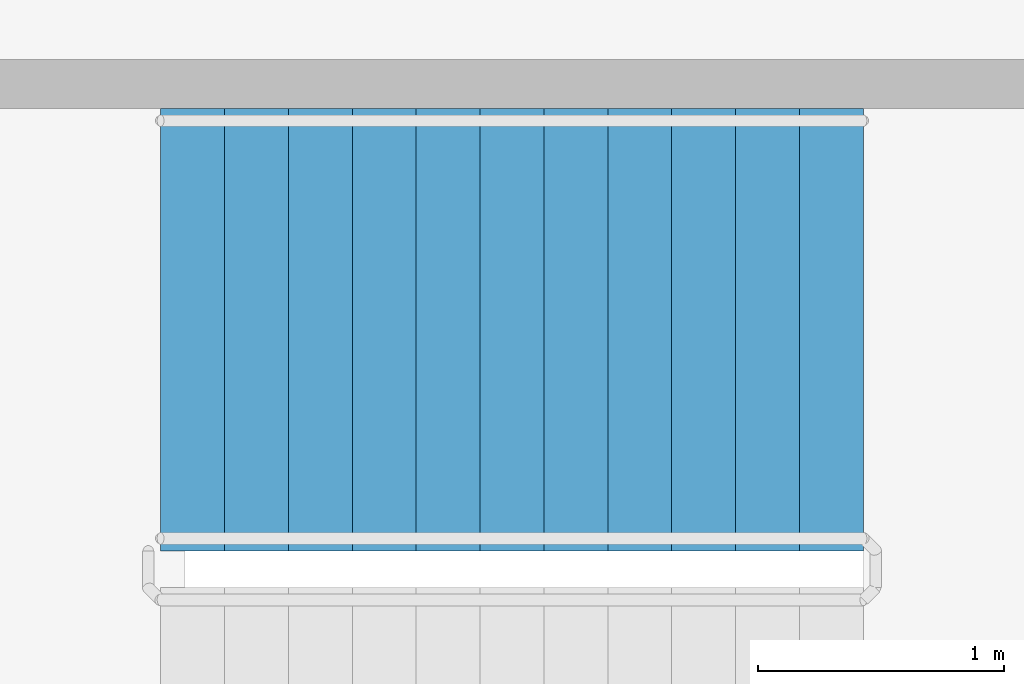
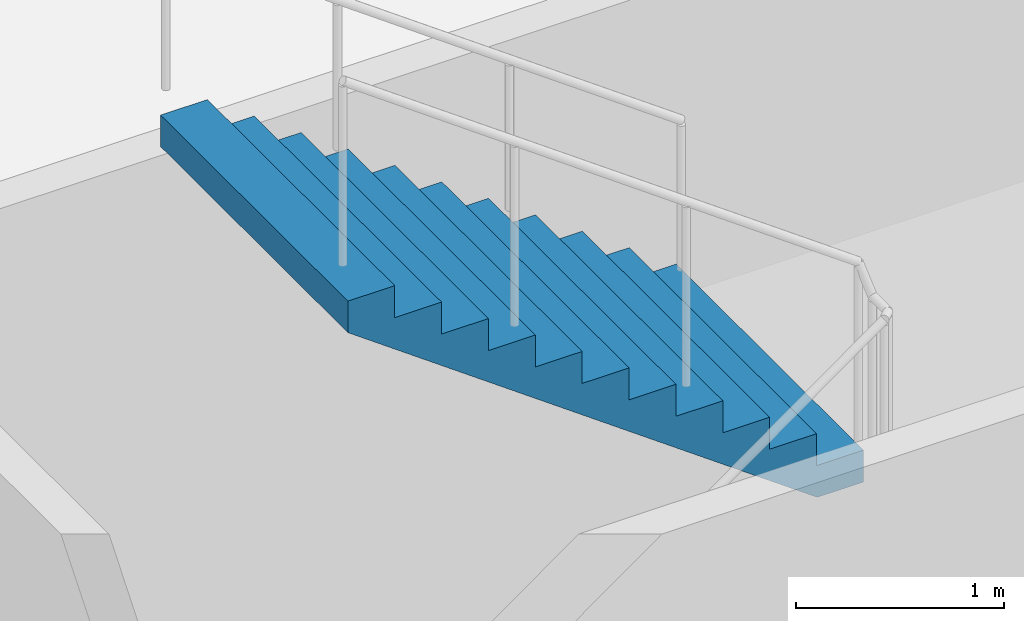
# One storey, part 35 of 49: 1 stair flight, 1 element without a shape of its own.
"""IFC4 building model written with IfcOpenShell, lengths in metres."""

from ifc_helpers import new_model, si_unit, direction, frame, origin, place, context, subcontext, project, spatial, faceted_brep, material, type_object, element, aggregate, save


model = new_model("IFC4")

# Units and contexts
model_context = context("Model", 3, precision=1e-05, world=origin(), true_north=direction((0.0, 1.0)))
body_context = subcontext(model_context, "Body", "Model", "MODEL_VIEW")
ifc_project = project(units=[si_unit("LENGTHUNIT", "METRE"), si_unit("AREAUNIT", "SQUARE_METRE"), si_unit("VOLUMEUNIT", "CUBIC_METRE"), si_unit("PLANEANGLEUNIT", "RADIAN"), si_unit("MASSUNIT", "GRAM", prefix="KILO")], contexts=[model_context])

# Site, building, storey
site_placement = place(None, origin())
site = spatial("IfcSite", under=ifc_project, at=site_placement, CompositionType="ELEMENT")
building_placement = place(site_placement, origin())
building = spatial("IfcBuilding", under=site, at=building_placement, Name="Ipe Terrace Towers", CompositionType="ELEMENT")
storey_placement = place(building_placement, frame((0.0, 0.0, 20.0)))
storey = spatial("IfcBuildingStorey", under=building, at=storey_placement, Name="L04", CompositionType="ELEMENT", Elevation=20.0)

# Stair, stair flight
ifc_material_1 = material(Name="Concrete C30/37", Category="concrete")
stair_type = type_object("IfcStairType", Name="Protected exit stair", PredefinedType="HALF_TURN_STAIR", material=ifc_material_1)
stair_placement = place(storey_placement, origin())
stair = element("IfcStair", 1, at=stair_placement, inside=storey, type_object=stair_type, Name="L04 Podium exit stair PS5", PredefinedType="HALF_TURN_STAIR")
ifc_material_2 = material(Name="Concrete C30/37", Category="concrete")
stair_flight_type = type_object("IfcStairFlightType", Name="Exit stair flight 1800", PredefinedType="STRAIGHT", material=ifc_material_2)
stair_flight_placement = place(storey_placement, frame((-0.889892578125, -20.550048828125, 2.25), z_axis=(0.0, 0.0, 1.0), x_axis=(-1.0, 0.0, 0.0)))
stair_flight = element("IfcStairFlight", 2, at=stair_flight_placement, type_object=stair_flight_type, Name="PS5 flight 2", NumberOfRisers=12, NumberOfTreads=11, PredefinedType="STRAIGHT", RiserHeight=0.1875, TreadLength=0.26, context=body_context, shape_type="Brep", body=[
    faceted_brep([(0.25634765625, -0.89990234375, 0.0), (2.860107421875, -0.89990234375, 1.877685546875), (2.860107421875, -0.89990234375, 2.0625), (2.60009765625, -0.89990234375, 2.0625), (2.60009765625, -0.89990234375, 1.875), (2.340087890625, -0.89990234375, 1.875), (2.340087890625, -0.89990234375, 1.6875), (2.080078125, -0.89990234375, 1.6875), (2.080078125, -0.89990234375, 1.5), (1.820068359375, -0.89990234375, 1.5), (1.820068359375, -0.89990234375, 1.3125), (1.56005859375, -0.89990234375, 1.3125), (1.56005859375, -0.89990234375, 1.125), (1.300048828125, -0.89990234375, 1.125), (1.300048828125, -0.89990234375, 0.9375), (1.0400390625, -0.89990234375, 0.9375), (1.0400390625, -0.89990234375, 0.75), (0.780029296875, -0.89990234375, 0.75), (0.780029296875, -0.89990234375, 0.5625), (0.52001953125, -0.89990234375, 0.5625), (0.52001953125, -0.89990234375, 0.375), (0.260009765625, -0.89990234375, 0.375), (0.260009765625, -0.89990234375, 0.1875), (0.0, -0.89990234375, 0.1875), (0.0, -0.89990234375, 0.0), (0.0, 0.89990234375, 0.0), (0.0, 0.89990234375, 0.1875), (0.260009765625, 0.89990234375, 0.1875), (0.260009765625, 0.89990234375, 0.375), (0.52001953125, 0.89990234375, 0.375), (0.52001953125, 0.89990234375, 0.5625), (0.780029296875, 0.89990234375, 0.5625), (0.780029296875, 0.89990234375, 0.75), (1.0400390625, 0.89990234375, 0.75), (1.0400390625, 0.89990234375, 0.9375), (1.300048828125, 0.89990234375, 0.9375), (1.300048828125, 0.89990234375, 1.125), (1.56005859375, 0.89990234375, 1.125), (1.56005859375, 0.89990234375, 1.3125), (1.820068359375, 0.89990234375, 1.3125), (1.820068359375, 0.89990234375, 1.5), (2.080078125, 0.89990234375, 1.5), (2.080078125, 0.89990234375, 1.6875), (2.340087890625, 0.89990234375, 1.6875), (2.340087890625, 0.89990234375, 1.875), (2.60009765625, 0.89990234375, 1.875), (2.60009765625, 0.89990234375, 2.0625), (2.860107421875, 0.89990234375, 2.0625), (2.860107421875, 0.89990234375, 1.877685546875), (0.25634765625, 0.89990234375, 0.0), (0.0, -0.300048828125, 0.1875), (0.0, -0.1201171875, 0.1875), (0.0, -0.06005859375, 0.1875), (0.0, -0.030029296875, 0.1875), (0.0, -0.010009765625, 0.1875), (0.0, 0.0, 0.1875), (0.0, 0.010009765625, 0.1875), (0.0, 0.030029296875, 0.1875), (0.0, 0.06005859375, 0.1875), (0.0, 0.1201171875, 0.1875), (0.0, 0.300048828125, 0.1875), (0.0, 0.300048828125, 0.0), (0.0, 0.1201171875, 0.0), (0.0, 0.06005859375, 0.0), (0.0, 0.030029296875, 0.0), (0.0, 0.010009765625, 0.0), (0.0, 0.0, 0.0), (0.0, -0.010009765625, 0.0), (0.0, -0.030029296875, 0.0), (0.0, -0.06005859375, 0.0), (0.0, -0.1201171875, 0.0), (0.0, -0.300048828125, 0.0), (0.260009765625, -0.300048828125, 0.1875), (0.260009765625, -0.1201171875, 0.1875), (0.260009765625, -0.06005859375, 0.1875), (0.260009765625, -0.030029296875, 0.1875), (0.260009765625, -0.010009765625, 0.1875), (0.260009765625, 0.0, 0.1875), (0.260009765625, 0.010009765625, 0.1875), (0.260009765625, 0.030029296875, 0.1875), (0.260009765625, 0.06005859375, 0.1875), (0.260009765625, 0.1201171875, 0.1875), (0.260009765625, 0.300048828125, 0.1875), (0.260009765625, -0.300048828125, 0.375), (0.260009765625, -0.1201171875, 0.375), (0.260009765625, -0.06005859375, 0.375), (0.260009765625, -0.030029296875, 0.375), (0.260009765625, -0.010009765625, 0.375), (0.260009765625, 0.0, 0.375), (0.260009765625, 0.010009765625, 0.375), (0.260009765625, 0.030029296875, 0.375), (0.260009765625, 0.06005859375, 0.375), (0.260009765625, 0.1201171875, 0.375), (0.260009765625, 0.300048828125, 0.375), (0.52001953125, -0.300048828125, 0.375), (0.52001953125, -0.1201171875, 0.375), (0.52001953125, -0.06005859375, 0.375), (0.52001953125, -0.030029296875, 0.375), (0.52001953125, -0.010009765625, 0.375), (0.52001953125, 0.0, 0.375), (0.52001953125, 0.010009765625, 0.375), (0.52001953125, 0.030029296875, 0.375), (0.52001953125, 0.06005859375, 0.375), (0.52001953125, 0.1201171875, 0.375), (0.52001953125, 0.300048828125, 0.375), (0.52001953125, -0.300048828125, 0.5625), (0.52001953125, -0.1201171875, 0.5625), (0.52001953125, -0.06005859375, 0.5625), (0.52001953125, -0.030029296875, 0.5625), (0.52001953125, -0.010009765625, 0.5625), (0.52001953125, 0.0, 0.5625), (0.52001953125, 0.010009765625, 0.5625), (0.52001953125, 0.030029296875, 0.5625), (0.52001953125, 0.06005859375, 0.5625), (0.52001953125, 0.1201171875, 0.5625), (0.52001953125, 0.300048828125, 0.5625), (0.780029296875, -0.300048828125, 0.5625), (0.780029296875, -0.1201171875, 0.5625), (0.780029296875, -0.06005859375, 0.5625), (0.780029296875, -0.030029296875, 0.5625), (0.780029296875, -0.010009765625, 0.5625), (0.780029296875, 0.0, 0.5625), (0.780029296875, 0.010009765625, 0.5625), (0.780029296875, 0.030029296875, 0.5625), (0.780029296875, 0.06005859375, 0.5625), (0.780029296875, 0.1201171875, 0.5625), (0.780029296875, 0.300048828125, 0.5625), (0.780029296875, -0.300048828125, 0.75), (0.780029296875, -0.1201171875, 0.75), (0.780029296875, -0.06005859375, 0.75), (0.780029296875, -0.030029296875, 0.75), (0.780029296875, -0.010009765625, 0.75), (0.780029296875, 0.0, 0.75), (0.780029296875, 0.010009765625, 0.75), (0.780029296875, 0.030029296875, 0.75), (0.780029296875, 0.06005859375, 0.75), (0.780029296875, 0.1201171875, 0.75), (0.780029296875, 0.300048828125, 0.75), (1.0400390625, -0.300048828125, 0.75), (1.0400390625, -0.1201171875, 0.75), (1.0400390625, -0.06005859375, 0.75), (1.0400390625, -0.030029296875, 0.75), (1.0400390625, -0.010009765625, 0.75), (1.0400390625, 0.0, 0.75), (1.0400390625, 0.010009765625, 0.75), (1.0400390625, 0.030029296875, 0.75), (1.0400390625, 0.06005859375, 0.75), (1.0400390625, 0.1201171875, 0.75), (1.0400390625, 0.300048828125, 0.75), (1.0400390625, -0.300048828125, 0.9375), (1.0400390625, -0.1201171875, 0.9375), (1.0400390625, -0.06005859375, 0.9375), (1.0400390625, -0.030029296875, 0.9375), (1.0400390625, -0.010009765625, 0.9375), (1.0400390625, 0.0, 0.9375), (1.0400390625, 0.010009765625, 0.9375), (1.0400390625, 0.030029296875, 0.9375), (1.0400390625, 0.06005859375, 0.9375), (1.0400390625, 0.1201171875, 0.9375), (1.0400390625, 0.300048828125, 0.9375), (1.300048828125, -0.300048828125, 0.9375), (1.300048828125, -0.1201171875, 0.9375), (1.300048828125, -0.06005859375, 0.9375), (1.300048828125, -0.030029296875, 0.9375), (1.300048828125, -0.010009765625, 0.9375), (1.300048828125, 0.0, 0.9375), (1.300048828125, 0.010009765625, 0.9375), (1.300048828125, 0.030029296875, 0.9375), (1.300048828125, 0.06005859375, 0.9375), (1.300048828125, 0.1201171875, 0.9375), (1.300048828125, 0.300048828125, 0.9375), (1.300048828125, -0.300048828125, 1.125), (1.300048828125, -0.1201171875, 1.125), (1.300048828125, -0.06005859375, 1.125), (1.300048828125, -0.030029296875, 1.125), (1.300048828125, -0.010009765625, 1.125), (1.300048828125, 0.0, 1.125), (1.300048828125, 0.010009765625, 1.125), (1.300048828125, 0.030029296875, 1.125), (1.300048828125, 0.06005859375, 1.125), (1.300048828125, 0.1201171875, 1.125), (1.300048828125, 0.300048828125, 1.125), (1.56005859375, -0.300048828125, 1.125), (1.56005859375, -0.1201171875, 1.125), (1.56005859375, -0.06005859375, 1.125), (1.56005859375, -0.030029296875, 1.125), (1.56005859375, -0.010009765625, 1.125), (1.56005859375, 0.0, 1.125), (1.56005859375, 0.010009765625, 1.125), (1.56005859375, 0.030029296875, 1.125), (1.56005859375, 0.06005859375, 1.125), (1.56005859375, 0.1201171875, 1.125), (1.56005859375, 0.300048828125, 1.125), (1.56005859375, -0.300048828125, 1.3125), (1.56005859375, -0.1201171875, 1.3125), (1.56005859375, -0.06005859375, 1.3125), (1.56005859375, -0.030029296875, 1.3125), (1.56005859375, -0.010009765625, 1.3125), (1.56005859375, 0.0, 1.3125), (1.56005859375, 0.010009765625, 1.3125), (1.56005859375, 0.030029296875, 1.3125), (1.56005859375, 0.06005859375, 1.3125), (1.56005859375, 0.1201171875, 1.3125), (1.56005859375, 0.300048828125, 1.3125), (1.820068359375, -0.300048828125, 1.3125), (1.820068359375, -0.1201171875, 1.3125), (1.820068359375, -0.06005859375, 1.3125), (1.820068359375, -0.030029296875, 1.3125), (1.820068359375, -0.010009765625, 1.3125), (1.820068359375, 0.0, 1.3125), (1.820068359375, 0.010009765625, 1.3125), (1.820068359375, 0.030029296875, 1.3125), (1.820068359375, 0.06005859375, 1.3125), (1.820068359375, 0.1201171875, 1.3125), (1.820068359375, 0.300048828125, 1.3125), (1.820068359375, -0.300048828125, 1.5), (1.820068359375, -0.1201171875, 1.5), (1.820068359375, -0.06005859375, 1.5), (1.820068359375, -0.030029296875, 1.5), (1.820068359375, -0.010009765625, 1.5), (1.820068359375, 0.0, 1.5), (1.820068359375, 0.010009765625, 1.5), (1.820068359375, 0.030029296875, 1.5), (1.820068359375, 0.06005859375, 1.5), (1.820068359375, 0.1201171875, 1.5), (1.820068359375, 0.300048828125, 1.5), (2.080078125, -0.300048828125, 1.5), (2.080078125, -0.1201171875, 1.5), (2.080078125, -0.06005859375, 1.5), (2.080078125, -0.030029296875, 1.5), (2.080078125, -0.010009765625, 1.5), (2.080078125, 0.0, 1.5), (2.080078125, 0.010009765625, 1.5), (2.080078125, 0.030029296875, 1.5), (2.080078125, 0.06005859375, 1.5), (2.080078125, 0.1201171875, 1.5), (2.080078125, 0.300048828125, 1.5), (2.080078125, -0.300048828125, 1.6875), (2.080078125, -0.1201171875, 1.6875), (2.080078125, -0.06005859375, 1.6875), (2.080078125, -0.030029296875, 1.6875), (2.080078125, -0.010009765625, 1.6875), (2.080078125, 0.0, 1.6875), (2.080078125, 0.010009765625, 1.6875), (2.080078125, 0.030029296875, 1.6875), (2.080078125, 0.06005859375, 1.6875), (2.080078125, 0.1201171875, 1.6875), (2.080078125, 0.300048828125, 1.6875), (2.340087890625, -0.300048828125, 1.6875), (2.340087890625, -0.1201171875, 1.6875), (2.340087890625, -0.06005859375, 1.6875), (2.340087890625, -0.030029296875, 1.6875), (2.340087890625, -0.010009765625, 1.6875), (2.340087890625, 0.0, 1.6875), (2.340087890625, 0.010009765625, 1.6875), (2.340087890625, 0.030029296875, 1.6875), (2.340087890625, 0.06005859375, 1.6875), (2.340087890625, 0.1201171875, 1.6875), (2.340087890625, 0.300048828125, 1.6875), (2.340087890625, -0.300048828125, 1.875), (2.340087890625, -0.1201171875, 1.875), (2.340087890625, -0.06005859375, 1.875), (2.340087890625, -0.030029296875, 1.875), (2.340087890625, -0.010009765625, 1.875), (2.340087890625, 0.0, 1.875), (2.340087890625, 0.010009765625, 1.875), (2.340087890625, 0.030029296875, 1.875), (2.340087890625, 0.06005859375, 1.875), (2.340087890625, 0.1201171875, 1.875), (2.340087890625, 0.300048828125, 1.875), (2.60009765625, -0.300048828125, 1.875), (2.60009765625, -0.1201171875, 1.875), (2.60009765625, -0.06005859375, 1.875), (2.60009765625, -0.030029296875, 1.875), (2.60009765625, -0.010009765625, 1.875), (2.60009765625, 0.0, 1.875), (2.60009765625, 0.010009765625, 1.875), (2.60009765625, 0.030029296875, 1.875), (2.60009765625, 0.06005859375, 1.875), (2.60009765625, 0.1201171875, 1.875), (2.60009765625, 0.300048828125, 1.875), (2.60009765625, -0.300048828125, 2.0625), (2.60009765625, -0.1201171875, 2.0625), (2.60009765625, -0.06005859375, 2.0625), (2.60009765625, -0.030029296875, 2.0625), (2.60009765625, -0.010009765625, 2.0625), (2.60009765625, 0.0, 2.0625), (2.60009765625, 0.010009765625, 2.0625), (2.60009765625, 0.030029296875, 2.0625), (2.60009765625, 0.06005859375, 2.0625), (2.60009765625, 0.1201171875, 2.0625), (2.60009765625, 0.300048828125, 2.0625), (2.860107421875, -0.300048828125, 2.0625), (2.860107421875, -0.1201171875, 2.0625), (2.860107421875, -0.06005859375, 2.0625), (2.860107421875, -0.030029296875, 2.0625), (2.860107421875, -0.010009765625, 2.0625), (2.860107421875, 0.0, 2.0625), (2.860107421875, 0.010009765625, 2.0625), (2.860107421875, 0.030029296875, 2.0625), (2.860107421875, 0.06005859375, 2.0625), (2.860107421875, 0.1201171875, 2.0625), (2.860107421875, 0.300048828125, 2.0625), (2.860107421875, -0.300048828125, 1.877685546875), (2.860107421875, -0.1201171875, 1.877685546875), (2.860107421875, -0.06005859375, 1.877685546875), (2.860107421875, -0.030029296875, 1.877685546875), (2.860107421875, -0.010009765625, 1.877685546875), (2.860107421875, 0.0, 1.877685546875), (2.860107421875, 0.010009765625, 1.877685546875), (2.860107421875, 0.030029296875, 1.877685546875), (2.860107421875, 0.06005859375, 1.877685546875), (2.860107421875, 0.1201171875, 1.877685546875), (2.860107421875, 0.300048828125, 1.877685546875), (0.25634765625, -0.300048828125, 0.0), (0.25634765625, -0.1201171875, 0.0), (0.25634765625, -0.06005859375, 0.0), (0.25634765625, -0.030029296875, 0.0), (0.25634765625, -0.010009765625, 0.0), (0.25634765625, 0.0, 0.0), (0.25634765625, 0.010009765625, 0.0), (0.25634765625, 0.030029296875, 0.0), (0.25634765625, 0.06005859375, 0.0), (0.25634765625, 0.1201171875, 0.0), (0.25634765625, 0.300048828125, 0.0)], [[[0, 1, 2, 3, 4, 5, 6, 7, 8, 9, 10, 11, 12, 13, 14, 15, 16, 17, 18, 19, 20, 21, 22, 23, 24]], [[25, 26, 27, 28, 29, 30, 31, 32, 33, 34, 35, 36, 37, 38, 39, 40, 41, 42, 43, 44, 45, 46, 47, 48, 49]], [[23, 50, 51, 52, 53, 54, 55, 56, 57, 58, 59, 60, 26, 25, 61, 62, 63, 64, 65, 66, 67, 68, 69, 70, 71, 24]], [[22, 72, 73, 74, 75, 76, 77, 78, 79, 80, 81, 82, 27, 26, 60, 59, 58, 57, 56, 55, 54, 53, 52, 51, 50, 23]], [[21, 83, 84, 85, 86, 87, 88, 89, 90, 91, 92, 93, 28, 27, 82, 81, 80, 79, 78, 77, 76, 75, 74, 73, 72, 22]], [[20, 94, 95, 96, 97, 98, 99, 100, 101, 102, 103, 104, 29, 28, 93, 92, 91, 90, 89, 88, 87, 86, 85, 84, 83, 21]], [[19, 105, 106, 107, 108, 109, 110, 111, 112, 113, 114, 115, 30, 29, 104, 103, 102, 101, 100, 99, 98, 97, 96, 95, 94, 20]], [[18, 116, 117, 118, 119, 120, 121, 122, 123, 124, 125, 126, 31, 30, 115, 114, 113, 112, 111, 110, 109, 108, 107, 106, 105, 19]], [[17, 127, 128, 129, 130, 131, 132, 133, 134, 135, 136, 137, 32, 31, 126, 125, 124, 123, 122, 121, 120, 119, 118, 117, 116, 18]], [[16, 138, 139, 140, 141, 142, 143, 144, 145, 146, 147, 148, 33, 32, 137, 136, 135, 134, 133, 132, 131, 130, 129, 128, 127, 17]], [[15, 149, 150, 151, 152, 153, 154, 155, 156, 157, 158, 159, 34, 33, 148, 147, 146, 145, 144, 143, 142, 141, 140, 139, 138, 16]], [[14, 160, 161, 162, 163, 164, 165, 166, 167, 168, 169, 170, 35, 34, 159, 158, 157, 156, 155, 154, 153, 152, 151, 150, 149, 15]], [[13, 171, 172, 173, 174, 175, 176, 177, 178, 179, 180, 181, 36, 35, 170, 169, 168, 167, 166, 165, 164, 163, 162, 161, 160, 14]], [[12, 182, 183, 184, 185, 186, 187, 188, 189, 190, 191, 192, 37, 36, 181, 180, 179, 178, 177, 176, 175, 174, 173, 172, 171, 13]], [[11, 193, 194, 195, 196, 197, 198, 199, 200, 201, 202, 203, 38, 37, 192, 191, 190, 189, 188, 187, 186, 185, 184, 183, 182, 12]], [[10, 204, 205, 206, 207, 208, 209, 210, 211, 212, 213, 214, 39, 38, 203, 202, 201, 200, 199, 198, 197, 196, 195, 194, 193, 11]], [[9, 215, 216, 217, 218, 219, 220, 221, 222, 223, 224, 225, 40, 39, 214, 213, 212, 211, 210, 209, 208, 207, 206, 205, 204, 10]], [[8, 226, 227, 228, 229, 230, 231, 232, 233, 234, 235, 236, 41, 40, 225, 224, 223, 222, 221, 220, 219, 218, 217, 216, 215, 9]], [[7, 237, 238, 239, 240, 241, 242, 243, 244, 245, 246, 247, 42, 41, 236, 235, 234, 233, 232, 231, 230, 229, 228, 227, 226, 8]], [[6, 248, 249, 250, 251, 252, 253, 254, 255, 256, 257, 258, 43, 42, 247, 246, 245, 244, 243, 242, 241, 240, 239, 238, 237, 7]], [[5, 259, 260, 261, 262, 263, 264, 265, 266, 267, 268, 269, 44, 43, 258, 257, 256, 255, 254, 253, 252, 251, 250, 249, 248, 6]], [[4, 270, 271, 272, 273, 274, 275, 276, 277, 278, 279, 280, 45, 44, 269, 268, 267, 266, 265, 264, 263, 262, 261, 260, 259, 5]], [[3, 281, 282, 283, 284, 285, 286, 287, 288, 289, 290, 291, 46, 45, 280, 279, 278, 277, 276, 275, 274, 273, 272, 271, 270, 4]], [[2, 292, 293, 294, 295, 296, 297, 298, 299, 300, 301, 302, 47, 46, 291, 290, 289, 288, 287, 286, 285, 284, 283, 282, 281, 3]], [[1, 303, 304, 305, 306, 307, 308, 309, 310, 311, 312, 313, 48, 47, 302, 301, 300, 299, 298, 297, 296, 295, 294, 293, 292, 2]], [[0, 314, 315, 316, 317, 318, 319, 320, 321, 322, 323, 324, 49, 48, 313, 312, 311, 310, 309, 308, 307, 306, 305, 304, 303, 1]], [[24, 71, 70, 69, 68, 67, 66, 65, 64, 63, 62, 61, 25, 49, 324, 323, 322, 321, 320, 319, 318, 317, 316, 315, 314, 0]]]),
])
aggregate(stair, [stair_flight])

save(model, "model.ifc")
